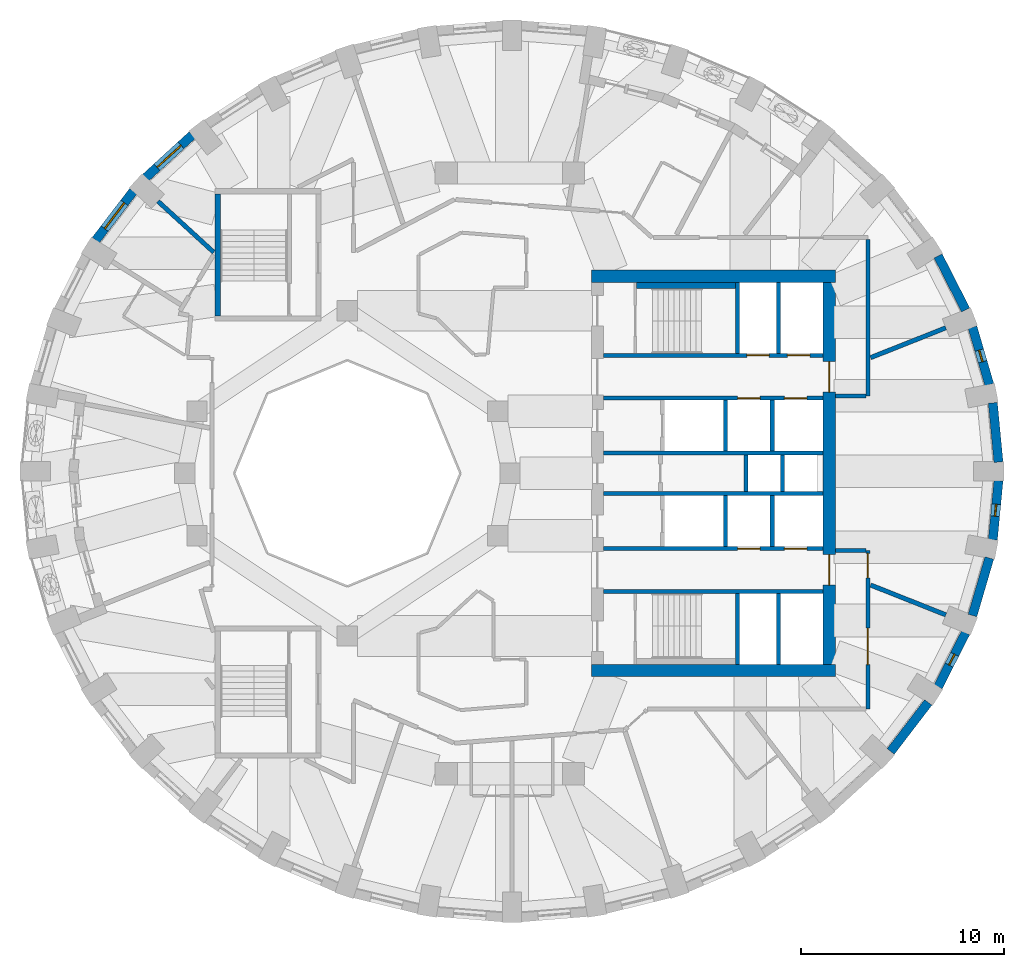
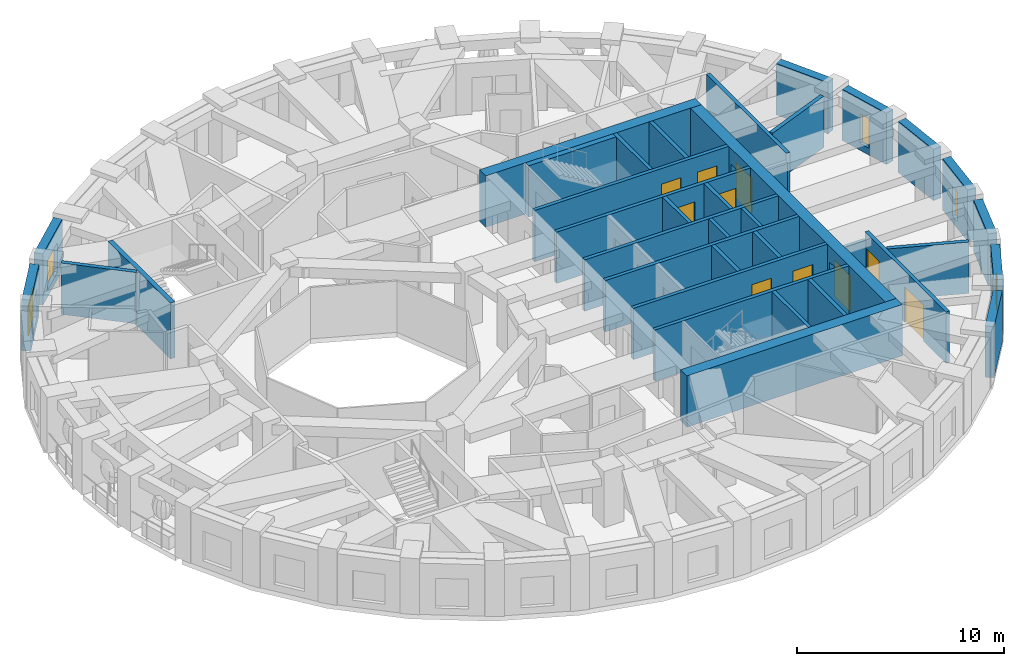
# One storey, part 6 of 12: 37 walls, 10 doors, 5 windows, 15 openings.
"""IFC4 building model written with IfcOpenShell, lengths in metres."""

from ifc_helpers import new_model, si_unit, direction, frame, frame_2d, origin, place, context, subcontext, project, spatial, rectangle, extrude, material, layer, layer_set, type_object, element, fill, save


model = new_model("IFC4")

# Units and contexts
model_context = context("Model", 3, precision=1e-05, world=origin(), true_north=direction((0.0, 1.0)))
body_context = subcontext(model_context, "Body", "Model", "MODEL_VIEW")
ifc_project = project(units=[si_unit("LENGTHUNIT", "METRE"), si_unit("AREAUNIT", "SQUARE_METRE"), si_unit("VOLUMEUNIT", "CUBIC_METRE"), si_unit("PLANEANGLEUNIT", "RADIAN"), si_unit("MASSUNIT", "GRAM", prefix="KILO")], contexts=[model_context])

# Site, building, storey
site_placement = place(None, origin())
site = spatial("IfcSite", under=ifc_project, at=site_placement, CompositionType="ELEMENT")
building_placement = place(site_placement, origin())
building = spatial("IfcBuilding", under=site, at=building_placement, Name="Taillehof Tower", CompositionType="ELEMENT")
storey_placement = place(building_placement, frame((0.0, 0.0, 145.10009765625)))
storey = spatial("IfcBuildingStorey", under=building, at=storey_placement, Name="L40", CompositionType="ELEMENT", Elevation=145.10009765625)

# Wall
ifc_material_1 = material(Name="Brick masonry", Category="masonry")
ifc_layer_1 = layer(ifc_material_1, 0.449951171875)
ifc_layer_set_1 = layer_set([ifc_layer_1], Name="Brick infill wall 450")
wall_type_1 = type_object("IfcWallType", Name="Brick infill wall 450", PredefinedType="SOLIDWALL", material=ifc_layer_set_1)
wall_1_placement = place(storey_placement, frame((24.030517578125, 0.55517578125, 0.0), z_axis=(0.0, 0.0, 1.0), x_axis=(-0.095265737322, 0.995451876935, 0.0)))
element("IfcWall", 1, at=wall_1_placement, inside=storey, type_object=wall_type_1, Name="Brick wall L40 bay 1", PredefinedType="SOLIDWALL", context=body_context, shape_type="SweptSolid", body=[
    extrude(rectangle(XDim=2.9267578125, YDim=0.449951171875, at=frame_2d((1.46337890625, 0.0))), origin(), (0.0, 0.0, 1.0), 3.02001953125),
])

# Wall, opening, window
wall_2_placement = place(storey_placement, frame((23.579833984375, 4.3623046875, 0.0), z_axis=(0.0, 0.0, 1.0), x_axis=(-0.281049481624, 0.959693278542, 0.0)))
wall_2 = element("IfcWall", 2, at=wall_2_placement, inside=storey, type_object=wall_type_1, Name="Brick wall L40 bay 2", PredefinedType="SOLIDWALL", context=body_context, shape_type="SweptSolid", body=[
    extrude(rectangle(XDim=2.947509765625, YDim=0.449951171875, at=frame_2d((1.4736328125, 0.0))), origin(), (0.0, 0.0, 1.0), 3.02001953125),
])
opening_1_placement = place(wall_2_placement, frame((1.173583984375, 0.0, 0.39990234375)))
opening_1 = element("IfcOpeningElement", 3, at=opening_1_placement, cuts=wall_2, Name="Opening W6", PredefinedType="OPENING", context=body_context, shape_type="SweptSolid", body=[
    extrude(rectangle(XDim=0.60009765625, YDim=1.75, at=frame_2d((0.300048828125, 0.875))), frame((0.0, 0.23486328125, 0.0), z_axis=(0.0, -1.0, 0.0), x_axis=(1.0, 0.0, 0.0)), (0.0, 0.0, 1.0), 0.469970703125),
])
ifc_material_2 = material(Name="Aluminium window frame with clear double glazing", Category="aluminium")
window_type_1 = type_object("IfcWindowType", Name="Slot window 600x1750", PartitioningType="SINGLE_PANEL", PredefinedType="WINDOW", material=ifc_material_2)
window_1_placement = place(opening_1_placement, origin())
window_1 = element("IfcWindow", 4, at=window_1_placement, inside=storey, type_object=window_type_1, Name="W6", OverallHeight=1.75, OverallWidth=0.60009765625, PartitioningType="SINGLE_PANEL", PredefinedType="WINDOW", context=body_context, shape_type="SweptSolid", body=[
    extrude(rectangle(XDim=0.60009765625, YDim=1.75, at=frame_2d((0.300048828125, 0.875))), frame((0.0, 0.034912109375, 0.0), z_axis=(0.0, -1.0, 0.0), x_axis=(1.0, 0.0, 0.0)), (0.0, 0.0, 1.0), 0.06005859375),
])
fill(opening_1, window_1)

# Wall
wall_3_placement = place(storey_placement, frame((22.415283203125, 8.036865234375, 0.0), z_axis=(0.0, 0.0, 1.0), x_axis=(-0.454133999889, 0.890933392653, 0.0)))
element("IfcWall", 5, at=wall_3_placement, inside=storey, type_object=wall_type_1, Name="Brick wall L40 bay 3", PredefinedType="SOLIDWALL", context=body_context, shape_type="SweptSolid", body=[
    extrude(rectangle(XDim=2.98583984375, YDim=0.449951171875, at=frame_2d((1.492919921875, 0.0))), origin(), (0.0, 0.0, 1.0), 3.02001953125),
])

# Wall, opening, window
wall_4_placement = place(storey_placement, frame((-15.630126953125, 16.638671875, 0.0), z_axis=(0.0, 0.0, 1.0), x_axis=(-0.737808755941, -0.675009807082, 0.0)))
wall_4 = element("IfcWall", 6, at=wall_4_placement, inside=storey, type_object=wall_type_1, Name="Brick wall L40 bay 14", PredefinedType="SOLIDWALL", context=body_context, shape_type="SweptSolid", body=[
    extrude(rectangle(XDim=3.094482421875, YDim=0.449951171875, at=frame_2d((1.54736328125, 0.0))), origin(), (0.0, 0.0, 1.0), 3.02001953125),
])
opening_2_placement = place(wall_4_placement, frame((0.747314453125, 0.0, 0.39990234375)))
opening_2 = element("IfcOpeningElement", 7, at=opening_2_placement, cuts=wall_4, Name="Opening W3", PredefinedType="OPENING", context=body_context, shape_type="SweptSolid", body=[
    extrude(rectangle(XDim=1.60009765625, YDim=1.75, at=frame_2d((0.800048828125, 0.875))), frame((0.0, 0.23486328125, 0.0), z_axis=(0.0, -1.0, 0.0), x_axis=(1.0, 0.0, 0.0)), (0.0, 0.0, 1.0), 0.469970703125),
])
ifc_material_3 = material(Name="Aluminium window frame with clear double glazing", Category="aluminium")
window_type_2 = type_object("IfcWindowType", Name="Deep-set window 1600x1750", PartitioningType="SINGLE_PANEL", PredefinedType="WINDOW", material=ifc_material_3)
window_2_placement = place(opening_2_placement, origin())
window_2 = element("IfcWindow", 8, at=window_2_placement, inside=storey, type_object=window_type_2, Name="W3", OverallHeight=1.75, OverallWidth=1.60009765625, PartitioningType="SINGLE_PANEL", PredefinedType="WINDOW", context=body_context, shape_type="SweptSolid", body=[
    extrude(rectangle(XDim=1.60009765625, YDim=1.75, at=frame_2d((0.800048828125, 0.875))), frame((0.0, 0.034912109375, 0.0), z_axis=(0.0, -1.0, 0.0), x_axis=(1.0, 0.0, 0.0)), (0.0, 0.0, 1.0), 0.06005859375),
])
fill(opening_2, window_2)

wall_5_placement = place(storey_placement, frame((-18.528076171875, 13.878662109375, 0.0), z_axis=(0.0, 0.0, 1.0), x_axis=(-0.607817056371, -0.794077090706, 0.0)))
wall_5 = element("IfcWall", 9, at=wall_5_placement, inside=storey, type_object=wall_type_1, Name="Brick wall L40 bay 15", PredefinedType="SOLIDWALL", context=body_context, shape_type="SweptSolid", body=[
    extrude(rectangle(XDim=3.037109375, YDim=0.449951171875, at=frame_2d((1.5185546875, 0.0))), origin(), (0.0, 0.0, 1.0), 3.02001953125),
])
opening_3_placement = place(wall_5_placement, frame((0.718505859375, 0.0, 0.39990234375)))
opening_3 = element("IfcOpeningElement", 10, at=opening_3_placement, cuts=wall_5, Name="Opening W3", PredefinedType="OPENING", context=body_context, shape_type="SweptSolid", body=[
    extrude(rectangle(XDim=1.60009765625, YDim=1.75, at=frame_2d((0.800048828125, 0.875))), frame((0.0, 0.23486328125, 0.0), z_axis=(0.0, -1.0, 0.0), x_axis=(1.0, 0.0, 0.0)), (0.0, 0.0, 1.0), 0.469970703125),
])
window_3_placement = place(opening_3_placement, origin())
window_3 = element("IfcWindow", 11, at=window_3_placement, inside=storey, type_object=window_type_2, Name="W3", OverallHeight=1.75, OverallWidth=1.60009765625, PartitioningType="SINGLE_PANEL", PredefinedType="WINDOW", context=body_context, shape_type="SweptSolid", body=[
    extrude(rectangle(XDim=1.60009765625, YDim=1.75, at=frame_2d((0.800048828125, 0.875))), frame((0.0, 0.034912109375, 0.0), z_axis=(0.0, -1.0, 0.0), x_axis=(1.0, 0.0, 0.0)), (0.0, 0.0, 1.0), 0.06005859375),
])
fill(opening_3, window_3)

# Wall
wall_6_placement = place(storey_placement, frame((18.72802734375, -13.6787109375, 0.0), z_axis=(0.0, 0.0, 1.0), x_axis=(0.607817056371, 0.794077090706, 0.0)))
element("IfcWall", 12, at=wall_6_placement, inside=storey, type_object=wall_type_1, Name="Brick wall L40 bay 33", PredefinedType="SOLIDWALL", context=body_context, shape_type="SweptSolid", body=[
    extrude(rectangle(XDim=3.037109375, YDim=0.449951171875, at=frame_2d((1.5185546875, 0.0))), origin(), (0.0, 0.0, 1.0), 3.02001953125),
])

# Wall, opening, window
wall_7_placement = place(storey_placement, frame((21.059326171875, -10.4970703125, 0.0), z_axis=(0.0, 0.0, 1.0), x_axis=(0.454133999889, 0.890933392653, 0.0)))
wall_7 = element("IfcWall", 13, at=wall_7_placement, inside=storey, type_object=wall_type_1, Name="Brick wall L40 bay 34", PredefinedType="SOLIDWALL", context=body_context, shape_type="SweptSolid", body=[
    extrude(rectangle(XDim=2.98583984375, YDim=0.449951171875, at=frame_2d((1.492919921875, 0.0))), origin(), (0.0, 0.0, 1.0), 3.02001953125),
])
opening_4_placement = place(wall_7_placement, frame((1.19287109375, 0.0, 0.39990234375)))
opening_4 = element("IfcOpeningElement", 14, at=opening_4_placement, cuts=wall_7, Name="Opening W6", PredefinedType="OPENING", context=body_context, shape_type="SweptSolid", body=[
    extrude(rectangle(XDim=0.60009765625, YDim=1.75, at=frame_2d((0.300048828125, 0.875))), frame((0.0, 0.23486328125, 0.0), z_axis=(0.0, -1.0, 0.0), x_axis=(1.0, 0.0, 0.0)), (0.0, 0.0, 1.0), 0.469970703125),
])
window_4_placement = place(opening_4_placement, origin())
window_4 = element("IfcWindow", 15, at=window_4_placement, inside=storey, type_object=window_type_1, Name="W6", OverallHeight=1.75, OverallWidth=0.60009765625, PartitioningType="SINGLE_PANEL", PredefinedType="WINDOW", context=body_context, shape_type="SweptSolid", body=[
    extrude(rectangle(XDim=0.60009765625, YDim=1.75, at=frame_2d((0.300048828125, 0.875))), frame((0.0, 0.034912109375, 0.0), z_axis=(0.0, -1.0, 0.0), x_axis=(1.0, 0.0, 0.0)), (0.0, 0.0, 1.0), 0.06005859375),
])
fill(opening_4, window_4)

# Wall
wall_8_placement = place(storey_placement, frame((22.75146484375, -6.990966796875, 0.0), z_axis=(0.0, 0.0, 1.0), x_axis=(0.281049481624, 0.959693278542, 0.0)))
element("IfcWall", 16, at=wall_8_placement, inside=storey, type_object=wall_type_1, Name="Brick wall L40 bay 35", PredefinedType="SOLIDWALL", context=body_context, shape_type="SweptSolid", body=[
    extrude(rectangle(XDim=2.947509765625, YDim=0.449951171875, at=frame_2d((1.4736328125, 0.0))), origin(), (0.0, 0.0, 1.0), 3.02001953125),
])

# Wall, opening, window
wall_9_placement = place(storey_placement, frame((23.751708984375, -3.2685546875, 0.0), z_axis=(0.0, 0.0, 1.0), x_axis=(0.095257827044, 0.995452633924, 0.0)))
wall_9 = element("IfcWall", 17, at=wall_9_placement, inside=storey, type_object=wall_type_1, Name="Brick wall L40 bay 36", PredefinedType="SOLIDWALL", context=body_context, shape_type="SweptSolid", body=[
    extrude(rectangle(XDim=2.927001953125, YDim=0.449951171875, at=frame_2d((1.46337890625, 0.0))), origin(), (0.0, 0.0, 1.0), 3.02001953125),
])
opening_5_placement = place(wall_9_placement, frame((1.163330078125, 0.0, 0.39990234375)))
opening_5 = element("IfcOpeningElement", 18, at=opening_5_placement, cuts=wall_9, Name="Opening W6", PredefinedType="OPENING", context=body_context, shape_type="SweptSolid", body=[
    extrude(rectangle(XDim=0.60009765625, YDim=1.75, at=frame_2d((0.300048828125, 0.875))), frame((0.0, 0.23486328125, 0.0), z_axis=(0.0, -1.0, 0.0), x_axis=(1.0, 0.0, 0.0)), (0.0, 0.0, 1.0), 0.469970703125),
])
window_5_placement = place(opening_5_placement, origin())
window_5 = element("IfcWindow", 19, at=window_5_placement, inside=storey, type_object=window_type_1, Name="W6", OverallHeight=1.75, OverallWidth=0.60009765625, PartitioningType="SINGLE_PANEL", PredefinedType="WINDOW", context=body_context, shape_type="SweptSolid", body=[
    extrude(rectangle(XDim=0.60009765625, YDim=1.75, at=frame_2d((0.300048828125, 0.875))), frame((0.0, 0.034912109375, 0.0), z_axis=(0.0, -1.0, 0.0), x_axis=(1.0, 0.0, 0.0)), (0.0, 0.0, 1.0), 0.06005859375),
])
fill(opening_5, window_5)

# Walls
ifc_material_4 = material(Name="Calcium silicate masonry", Category="masonry")
ifc_layer_2 = layer(ifc_material_4, 0.199951171875)
ifc_layer_set_2 = layer_set([ifc_layer_2], Name="Compartment wall calcium silicate 200")
wall_type_2 = type_object("IfcWallType", Name="Compartment wall calcium silicate 200", PredefinedType="PARTITIONING", material=ifc_layer_set_2)
for number, where, z_axis, x_axis, name in (
    (20, (11.60009765625, -0.89990234375, 0.0), (0.0, 0.0, 1.0), (0.0, 1.0, 0.0), "Compartment wall FW"),
    (21, (13.39990234375, -0.89990234375, 0.0), (0.0, 0.0, 1.0), (0.0, 1.0, 0.0), "Compartment wall FW"),
):
    element("IfcWall", number, at=place(storey_placement, frame(where, z_axis=z_axis, x_axis=x_axis)), inside=storey, type_object=wall_type_2, Name=name, PredefinedType="PARTITIONING", context=body_context, shape_type="SweptSolid", body=[
        extrude(rectangle(XDim=1.7998046875, YDim=0.199951171875, at=frame_2d((0.89990234375, 0.0))), origin(), (0.0, 0.0, 1.0), 3.02001953125),
    ])

# Wall, openings, doors
ifc_material_5 = material(Name="Gypsum board on steel studs, two layers each side", Category="steel")
ifc_layer_3 = layer(ifc_material_5, 0.199951171875)
ifc_layer_set_3 = layer_set([ifc_layer_3], Name="Compartment wall corridor 200")
wall_type_3 = type_object("IfcWallType", Name="Compartment wall corridor 200", PredefinedType="PARTITIONING", material=ifc_layer_set_3)
wall_10_placement = place(storey_placement, frame((17.60009765625, -3.800048828125, 0.0), z_axis=(0.0, 0.0, 1.0), x_axis=(0.0, -1.0, 0.0)))
wall_10 = element("IfcWall", 22, at=wall_10_placement, inside=storey, type_object=wall_type_3, Name="Compartment wall", PredefinedType="PARTITIONING", context=body_context, shape_type="SweptSolid", body=[
    extrude(rectangle(XDim=7.800048828125, YDim=0.199951171875, at=frame_2d((3.89990234375, 0.0))), origin(), (0.0, 0.0, 1.0), 3.02001953125),
])
opening_6_placement = place(wall_10_placement, frame((3.81298828125, 0.0, 0.0)))
opening_6 = element("IfcOpeningElement", 23, at=opening_6_placement, cuts=wall_10, Name="Opening D4057", PredefinedType="OPENING", context=body_context, shape_type="SweptSolid", body=[
    extrude(rectangle(XDim=1.800048828125, YDim=2.10009765625, at=frame_2d((0.89990234375, 1.050048828125))), frame((0.0, 0.10986328125, 0.0), z_axis=(0.0, -1.0, 0.0), x_axis=(1.0, 0.0, 0.0)), (0.0, 0.0, 1.0), 0.219970703125),
])
opening_7_placement = place(wall_10_placement, frame((0.139892578125, 0.0, 0.0)))
opening_7 = element("IfcOpeningElement", 24, at=opening_7_placement, cuts=wall_10, Name="Opening D4058", PredefinedType="OPENING", context=body_context, shape_type="SweptSolid", body=[
    extrude(rectangle(XDim=1.199951171875, YDim=2.10009765625, at=frame_2d((0.60009765625, 1.050048828125))), frame((0.0, 0.10986328125, 0.0), z_axis=(0.0, -1.0, 0.0), x_axis=(1.0, 0.0, 0.0)), (0.0, 0.0, 1.0), 0.219970703125),
])
ifc_material_6 = material(Name="Timber door leaf in steel frame", Category="steel")
door_type_1 = type_object("IfcDoorType", Name="Lounge and meeting room double door EI 30 1800 x 2100", OperationType="SINGLE_SWING_LEFT", PredefinedType="DOOR", material=ifc_material_6)
door_1_placement = place(opening_6_placement, origin())
door_1 = element("IfcDoor", 25, at=door_1_placement, inside=storey, type_object=door_type_1, Name="D4057", OperationType="DOUBLE_DOOR_SINGLE_SWING", OverallHeight=2.10009765625, OverallWidth=1.800048828125, PredefinedType="DOOR", context=body_context, shape_type="SweptSolid", body=[
    extrude(rectangle(XDim=1.800048828125, YDim=2.10009765625, at=frame_2d((0.89990234375, 1.050048828125))), frame((0.0, 0.02490234375, 0.0), z_axis=(0.0, -1.0, 0.0), x_axis=(1.0, 0.0, 0.0)), (0.0, 0.0, 1.0), 0.050048828125),
])
fill(opening_6, door_1)
ifc_material_7 = material(Name="Timber door leaf in steel frame", Category="steel")
door_type_2 = type_object("IfcDoorType", Name="Suite entrance door EI 30 1200 x 2100", OperationType="SINGLE_SWING_LEFT", PredefinedType="DOOR", material=ifc_material_7)
door_2_placement = place(opening_7_placement, origin())
door_2 = element("IfcDoor", 26, at=door_2_placement, inside=storey, type_object=door_type_2, Name="D4058", OperationType="SINGLE_SWING_RIGHT", OverallHeight=2.10009765625, OverallWidth=1.199951171875, PredefinedType="DOOR", context=body_context, shape_type="SweptSolid", body=[
    extrude(rectangle(XDim=1.199951171875, YDim=2.10009765625, at=frame_2d((0.60009765625, 1.050048828125))), frame((0.0, 0.02490234375, 0.0), z_axis=(0.0, -1.0, 0.0), x_axis=(1.0, 0.0, 0.0)), (0.0, 0.0, 1.0), 0.050048828125),
])
fill(opening_7, door_2)

# Walls
wall_11_placement = place(storey_placement, frame((17.60009765625, 11.5, 0.0), z_axis=(0.0, 0.0, 1.0), x_axis=(0.0, -1.0, 0.0)))
element("IfcWall", 27, at=wall_11_placement, inside=storey, type_object=wall_type_3, Name="Compartment wall", PredefinedType="PARTITIONING", context=body_context, shape_type="SweptSolid", body=[
    extrude(rectangle(XDim=7.699951171875, YDim=0.199951171875, at=frame_2d((3.85009765625, 0.0))), origin(), (0.0, 0.0, 1.0), 3.02001953125),
])
for number, where, z_axis, x_axis, name in (
    (28, (17.5, 3.800048828125, 0.0), (0.0, 0.0, 1.0), (-1.0, 0.0, 0.0), "Compartment wall"),
    (29, (16.00390625, -3.800048828125, 0.0), (0.0, 0.0, 1.0), (1.0, 0.0, 0.0), "Compartment wall"),
):
    element("IfcWall", number, at=place(storey_placement, frame(where, z_axis=z_axis, x_axis=x_axis)), inside=storey, type_object=wall_type_3, Name=name, PredefinedType="PARTITIONING", context=body_context, shape_type="SweptSolid", body=[
        extrude(rectangle(XDim=1.49609375, YDim=0.199951171875, at=frame_2d((0.748046875, 0.0))), origin(), (0.0, 0.0, 1.0), 2.56982421875),
    ])
ifc_material_8 = material(Name="Gypsum board on double steel studs with mineral wool", Category="steel")
ifc_layer_4 = layer(ifc_material_8, 0.219970703125)
ifc_layer_set_4 = layer_set([ifc_layer_4], Name="Compartment wall guest room 220")
wall_type_4 = type_object("IfcWallType", Name="Compartment wall guest room 220", PredefinedType="PARTITIONING", material=ifc_layer_set_4)
wall_12_placement = place(storey_placement, frame((21.438720703125, 7.15966796875, 0.0), z_axis=(0.0, 0.0, 1.0), x_axis=(-0.929517399972, -0.368778257426, 0.0)))
element("IfcWall", 30, at=wall_12_placement, inside=storey, type_object=wall_type_4, Name="Compartment wall", PredefinedType="PARTITIONING", context=body_context, shape_type="SweptSolid", body=[
    extrude(rectangle(XDim=3.982177734375, YDim=0.219970703125, at=frame_2d((1.9912109375, 0.0))), origin(), (0.0, 0.0, 1.0), 3.02001953125),
])
wall_13_placement = place(storey_placement, frame((-17.310302734375, 13.381591796875, 0.0), z_axis=(0.0, 0.0, 1.0), x_axis=(0.737860436015, -0.674953314655, 0.0)))
element("IfcWall", 31, at=wall_13_placement, inside=storey, type_object=wall_type_4, Name="Compartment wall", PredefinedType="PARTITIONING", context=body_context, shape_type="SweptSolid", body=[
    extrude(rectangle(XDim=3.714111328125, YDim=0.219970703125, at=frame_2d((1.85693359375, 0.0))), origin(), (0.0, 0.0, 1.0), 3.02001953125),
])
wall_14_placement = place(storey_placement, frame((21.438720703125, -6.959716796875, 0.0), z_axis=(0.0, 0.0, 1.0), x_axis=(-0.929517399972, 0.368778257426, 0.0)))
element("IfcWall", 32, at=wall_14_placement, inside=storey, type_object=wall_type_4, Name="Compartment wall", PredefinedType="PARTITIONING", context=body_context, shape_type="SweptSolid", body=[
    extrude(rectangle(XDim=3.982177734375, YDim=0.219970703125, at=frame_2d((1.9912109375, 0.0))), origin(), (0.0, 0.0, 1.0), 3.02001953125),
])
ifc_material_9 = material(Name="Calcium silicate masonry", Category="masonry")
ifc_layer_5 = layer(ifc_material_9, 0.300048828125)
ifc_layer_set_5 = layer_set([ifc_layer_5], Name="Compartment wall lining calcium silicate 300")
wall_type_5 = type_object("IfcWallType", Name="Compartment wall lining calcium silicate 300", PredefinedType="PARTITIONING", material=ifc_layer_set_5)
wall_15_placement = place(storey_placement, frame((6.219970703125, 9.25, 0.0), z_axis=(0.0, 0.0, 1.0), x_axis=(1.0, 0.0, 0.0)))
element("IfcWall", 33, at=wall_15_placement, inside=storey, type_object=wall_type_5, Name="Compartment wall FW", PredefinedType="PARTITIONING", context=body_context, shape_type="SweptSolid", body=[
    extrude(rectangle(XDim=4.880126953125, YDim=0.300048828125, at=frame_2d((2.43994140625, 0.0))), origin(), (0.0, 0.0, 1.0), 3.02001953125),
])

# Wall, openings, doors
ifc_material_10 = material(Name="Concrete C80/95", Category="concrete")
ifc_layer_6 = layer(ifc_material_10, 0.60009765625)
ifc_layer_set_6 = layer_set([ifc_layer_6], Name="Core wall C80/95 600")
wall_type_6 = type_object("IfcWallType", Name="Core wall C80/95 600", PredefinedType="SHEAR", material=ifc_layer_set_6)
wall_16_placement = place(storey_placement, frame((15.699951171875, -9.39990234375, 0.0), z_axis=(0.0, 0.0, 1.0), x_axis=(0.0, 1.0, 0.0)))
wall_16 = element("IfcWall", 34, at=wall_16_placement, inside=storey, type_object=wall_type_6, Name="Core wall CW05", PredefinedType="SHEAR", context=body_context, shape_type="SweptSolid", body=[
    extrude(rectangle(XDim=18.7998046875, YDim=0.60009765625, at=frame_2d((9.39990234375, 0.0))), origin(), (0.0, 0.0, 1.0), 3.02001953125),
])
opening_8_placement = place(wall_16_placement, frame((13.39990234375, 0.0, 0.0)))
opening_8 = element("IfcOpeningElement", 35, at=opening_8_placement, cuts=wall_16, Name="Opening D4008", PredefinedType="OPENING", context=body_context, shape_type="SweptSolid", body=[
    extrude(rectangle(XDim=1.5, YDim=2.10009765625, at=frame_2d((0.75, 1.050048828125))), frame((0.0, 0.31005859375, 0.0), z_axis=(0.0, -1.0, 0.0), x_axis=(1.0, 0.0, 0.0)), (0.0, 0.0, 1.0), 0.6201171875),
])
opening_9_placement = place(wall_16_placement, frame((3.89990234375, 0.0, 0.0)))
opening_9 = element("IfcOpeningElement", 36, at=opening_9_placement, cuts=wall_16, Name="Opening D4009", PredefinedType="OPENING", context=body_context, shape_type="SweptSolid", body=[
    extrude(rectangle(XDim=1.5, YDim=2.10009765625, at=frame_2d((0.75, 1.050048828125))), frame((0.0, 0.31005859375, 0.0), z_axis=(0.0, -1.0, 0.0), x_axis=(1.0, 0.0, 0.0)), (0.0, 0.0, 1.0), 0.6201171875),
])
ifc_material_11 = material(Name="Steel-faced fire door", Category="steel")
door_type_3 = type_object("IfcDoorType", Name="Lift lobby east door 1500x2100", OperationType="DOUBLE_DOOR_SINGLE_SWING", PredefinedType="DOOR", material=ifc_material_11)
door_3_placement = place(opening_8_placement, origin())
door_3 = element("IfcDoor", 37, at=door_3_placement, inside=storey, type_object=door_type_3, Name="Lift lobby east door north", OperationType="DOUBLE_DOOR_SINGLE_SWING", OverallHeight=2.10009765625, OverallWidth=1.5, PredefinedType="DOOR", context=body_context, shape_type="SweptSolid", body=[
    extrude(rectangle(XDim=1.5, YDim=2.10009765625, at=frame_2d((0.75, 1.050048828125))), frame((0.0, 0.02490234375, 0.0), z_axis=(0.0, -1.0, 0.0), x_axis=(1.0, 0.0, 0.0)), (0.0, 0.0, 1.0), 0.050048828125),
])
fill(opening_8, door_3)
door_4_placement = place(opening_9_placement, origin())
door_4 = element("IfcDoor", 38, at=door_4_placement, inside=storey, type_object=door_type_3, Name="Lift lobby east door south", OperationType="DOUBLE_DOOR_SINGLE_SWING", OverallHeight=2.10009765625, OverallWidth=1.5, PredefinedType="DOOR", context=body_context, shape_type="SweptSolid", body=[
    extrude(rectangle(XDim=1.5, YDim=2.10009765625, at=frame_2d((0.75, 1.050048828125))), frame((0.0, 0.02490234375, 0.0), z_axis=(0.0, -1.0, 0.0), x_axis=(1.0, 0.0, 0.0)), (0.0, 0.0, 1.0), 0.050048828125),
])
fill(opening_9, door_4)

# Walls
for number, where, z_axis, x_axis, name in (
    (39, (4.0, 9.699951171875, 0.0), (0.0, 0.0, 1.0), (1.0, 0.0, 0.0), "Core wall CW06"),
    (40, (4.0, -9.699951171875, 0.0), (0.0, 0.0, 1.0), (1.0, 0.0, 0.0), "Core wall CW07"),
):
    element("IfcWall", number, at=place(storey_placement, frame(where, z_axis=z_axis, x_axis=x_axis)), inside=storey, type_object=wall_type_6, Name=name, PredefinedType="SHEAR", context=body_context, shape_type="SweptSolid", body=[
        extrude(rectangle(XDim=12.0, YDim=0.60009765625, at=frame_2d((6.0, 0.0))), origin(), (0.0, 0.0, 1.0), 3.02001953125),
    ])

# Wall, openings, doors
ifc_material_12 = material(Name="Concrete C50/60", Category="concrete")
ifc_layer_7 = layer(ifc_material_12, 0.199951171875)
ifc_layer_set_7 = layer_set([ifc_layer_7], Name="Shaft wall C50/60 200")
wall_type_7 = type_object("IfcWallType", Name="Shaft wall C50/60 200", PredefinedType="SHEAR", material=ifc_layer_set_7)
wall_17_placement = place(storey_placement, frame((4.60009765625, 5.800048828125, 0.0), z_axis=(0.0, 0.0, 1.0), x_axis=(1.0, 0.0, 0.0)))
wall_17 = element("IfcWall", 41, at=wall_17_placement, inside=storey, type_object=wall_type_7, Name="Shaft wall SW", PredefinedType="SHEAR", context=body_context, shape_type="SweptSolid", body=[
    extrude(rectangle(XDim=10.7998046875, YDim=0.199951171875, at=frame_2d((5.39990234375, 0.0))), origin(), (0.0, 0.0, 1.0), 3.02001953125),
])
opening_10_placement = place(wall_17_placement, frame((7.050048828125, 0.0, 0.0)))
opening_10 = element("IfcOpeningElement", 42, at=opening_10_placement, cuts=wall_17, Name="Opening LD1", PredefinedType="OPENING", context=body_context, shape_type="SweptSolid", body=[
    extrude(rectangle(XDim=1.10009765625, YDim=2.10009765625, at=frame_2d((0.550048828125, 1.050048828125))), frame((0.0, 0.10986328125, 0.0), z_axis=(0.0, -1.0, 0.0), x_axis=(1.0, 0.0, 0.0)), (0.0, 0.0, 1.0), 0.219970703125),
])
opening_11_placement = place(wall_17_placement, frame((9.050048828125, 0.0, 0.0)))
opening_11 = element("IfcOpeningElement", 43, at=opening_11_placement, cuts=wall_17, Name="Opening LD1", PredefinedType="OPENING", context=body_context, shape_type="SweptSolid", body=[
    extrude(rectangle(XDim=1.10009765625, YDim=2.10009765625, at=frame_2d((0.550048828125, 1.050048828125))), frame((0.0, 0.10986328125, 0.0), z_axis=(0.0, -1.0, 0.0), x_axis=(1.0, 0.0, 0.0)), (0.0, 0.0, 1.0), 0.219970703125),
])
ifc_material_13 = material(Name="Stainless steel", Category="steel")
door_type_4 = type_object("IfcDoorType", Name="Lift landing door LD1 1100x2100", OperationType="DOUBLE_DOOR_SLIDING", PredefinedType="DOOR", material=ifc_material_13)
door_5_placement = place(opening_10_placement, origin())
door_5 = element("IfcDoor", 44, at=door_5_placement, inside=storey, type_object=door_type_4, Name="Landing door HR1", OperationType="DOUBLE_DOOR_SLIDING", OverallHeight=2.10009765625, OverallWidth=1.10009765625, PredefinedType="DOOR", context=body_context, shape_type="SweptSolid", body=[
    extrude(rectangle(XDim=1.10009765625, YDim=2.10009765625, at=frame_2d((0.550048828125, 1.050048828125))), frame((0.0, 0.02490234375, 0.0), z_axis=(0.0, -1.0, 0.0), x_axis=(1.0, 0.0, 0.0)), (0.0, 0.0, 1.0), 0.050048828125),
])
fill(opening_10, door_5)
door_6_placement = place(opening_11_placement, origin())
door_6 = element("IfcDoor", 45, at=door_6_placement, inside=storey, type_object=door_type_4, Name="Landing door HR2", OperationType="DOUBLE_DOOR_SLIDING", OverallHeight=2.10009765625, OverallWidth=1.10009765625, PredefinedType="DOOR", context=body_context, shape_type="SweptSolid", body=[
    extrude(rectangle(XDim=1.10009765625, YDim=2.10009765625, at=frame_2d((0.550048828125, 1.050048828125))), frame((0.0, 0.02490234375, 0.0), z_axis=(0.0, -1.0, 0.0), x_axis=(1.0, 0.0, 0.0)), (0.0, 0.0, 1.0), 0.050048828125),
])
fill(opening_11, door_6)

wall_18_placement = place(storey_placement, frame((4.60009765625, 3.699951171875, 0.0), z_axis=(0.0, 0.0, 1.0), x_axis=(1.0, 0.0, 0.0)))
wall_18 = element("IfcWall", 46, at=wall_18_placement, inside=storey, type_object=wall_type_7, Name="Shaft wall SW", PredefinedType="SHEAR", context=body_context, shape_type="SweptSolid", body=[
    extrude(rectangle(XDim=10.7998046875, YDim=0.199951171875, at=frame_2d((5.39990234375, 0.0))), origin(), (0.0, 0.0, 1.0), 3.02001953125),
])
opening_12_placement = place(wall_18_placement, frame((6.60009765625, 0.0, 0.0)))
opening_12 = element("IfcOpeningElement", 47, at=opening_12_placement, cuts=wall_18, Name="Opening LD1", PredefinedType="OPENING", context=body_context, shape_type="SweptSolid", body=[
    extrude(rectangle(XDim=1.10009765625, YDim=2.10009765625, at=frame_2d((0.550048828125, 1.050048828125))), frame((0.0, 0.10986328125, 0.0), z_axis=(0.0, -1.0, 0.0), x_axis=(1.0, 0.0, 0.0)), (0.0, 0.0, 1.0), 0.219970703125),
])
opening_13_placement = place(wall_18_placement, frame((8.89990234375, 0.0, 0.0)))
opening_13 = element("IfcOpeningElement", 48, at=opening_13_placement, cuts=wall_18, Name="Opening LD1", PredefinedType="OPENING", context=body_context, shape_type="SweptSolid", body=[
    extrude(rectangle(XDim=1.10009765625, YDim=2.10009765625, at=frame_2d((0.550048828125, 1.050048828125))), frame((0.0, 0.10986328125, 0.0), z_axis=(0.0, -1.0, 0.0), x_axis=(1.0, 0.0, 0.0)), (0.0, 0.0, 1.0), 0.219970703125),
])
door_7_placement = place(opening_12_placement, origin())
door_7 = element("IfcDoor", 49, at=door_7_placement, inside=storey, type_object=door_type_4, Name="Landing door HR3", OperationType="DOUBLE_DOOR_SLIDING", OverallHeight=2.10009765625, OverallWidth=1.10009765625, PredefinedType="DOOR", context=body_context, shape_type="SweptSolid", body=[
    extrude(rectangle(XDim=1.10009765625, YDim=2.10009765625, at=frame_2d((0.550048828125, 1.050048828125))), frame((0.0, 0.02490234375, 0.0), z_axis=(0.0, -1.0, 0.0), x_axis=(1.0, 0.0, 0.0)), (0.0, 0.0, 1.0), 0.050048828125),
])
fill(opening_12, door_7)
door_8_placement = place(opening_13_placement, origin())
door_8 = element("IfcDoor", 50, at=door_8_placement, inside=storey, type_object=door_type_4, Name="Landing door HR4", OperationType="DOUBLE_DOOR_SLIDING", OverallHeight=2.10009765625, OverallWidth=1.10009765625, PredefinedType="DOOR", context=body_context, shape_type="SweptSolid", body=[
    extrude(rectangle(XDim=1.10009765625, YDim=2.10009765625, at=frame_2d((0.550048828125, 1.050048828125))), frame((0.0, 0.02490234375, 0.0), z_axis=(0.0, -1.0, 0.0), x_axis=(1.0, 0.0, 0.0)), (0.0, 0.0, 1.0), 0.050048828125),
])
fill(opening_13, door_8)

# Walls
for number, where, z_axis, x_axis, name in (
    (51, (4.60009765625, 1.0, 0.0), (0.0, 0.0, 1.0), (1.0, 0.0, 0.0), "Shaft wall SW"),
    (52, (4.60009765625, -1.0, 0.0), (0.0, 0.0, 1.0), (1.0, 0.0, 0.0), "Shaft wall SW"),
):
    element("IfcWall", number, at=place(storey_placement, frame(where, z_axis=z_axis, x_axis=x_axis)), inside=storey, type_object=wall_type_7, Name=name, PredefinedType="SHEAR", context=body_context, shape_type="SweptSolid", body=[
        extrude(rectangle(XDim=10.7998046875, YDim=0.199951171875, at=frame_2d((5.39990234375, 0.0))), origin(), (0.0, 0.0, 1.0), 3.02001953125),
    ])

# Wall, openings, doors
wall_19_placement = place(storey_placement, frame((4.60009765625, -3.699951171875, 0.0), z_axis=(0.0, 0.0, 1.0), x_axis=(1.0, 0.0, 0.0)))
wall_19 = element("IfcWall", 53, at=wall_19_placement, inside=storey, type_object=wall_type_7, Name="Shaft wall SW", PredefinedType="SHEAR", context=body_context, shape_type="SweptSolid", body=[
    extrude(rectangle(XDim=10.7998046875, YDim=0.199951171875, at=frame_2d((5.39990234375, 0.0))), origin(), (0.0, 0.0, 1.0), 3.02001953125),
])
opening_14_placement = place(wall_19_placement, frame((6.60009765625, 0.0, 0.0)))
opening_14 = element("IfcOpeningElement", 54, at=opening_14_placement, cuts=wall_19, Name="Opening LD1", PredefinedType="OPENING", context=body_context, shape_type="SweptSolid", body=[
    extrude(rectangle(XDim=1.10009765625, YDim=2.10009765625, at=frame_2d((0.550048828125, 1.050048828125))), frame((0.0, 0.10986328125, 0.0), z_axis=(0.0, -1.0, 0.0), x_axis=(1.0, 0.0, 0.0)), (0.0, 0.0, 1.0), 0.219970703125),
])
opening_15_placement = place(wall_19_placement, frame((8.89990234375, 0.0, 0.0)))
opening_15 = element("IfcOpeningElement", 55, at=opening_15_placement, cuts=wall_19, Name="Opening LD1", PredefinedType="OPENING", context=body_context, shape_type="SweptSolid", body=[
    extrude(rectangle(XDim=1.10009765625, YDim=2.10009765625, at=frame_2d((0.550048828125, 1.050048828125))), frame((0.0, 0.10986328125, 0.0), z_axis=(0.0, -1.0, 0.0), x_axis=(1.0, 0.0, 0.0)), (0.0, 0.0, 1.0), 0.219970703125),
])
door_9_placement = place(opening_14_placement, origin())
door_9 = element("IfcDoor", 56, at=door_9_placement, inside=storey, type_object=door_type_4, Name="Landing door HR5", OperationType="DOUBLE_DOOR_SLIDING", OverallHeight=2.10009765625, OverallWidth=1.10009765625, PredefinedType="DOOR", context=body_context, shape_type="SweptSolid", body=[
    extrude(rectangle(XDim=1.10009765625, YDim=2.10009765625, at=frame_2d((0.550048828125, 1.050048828125))), frame((0.0, 0.02490234375, 0.0), z_axis=(0.0, -1.0, 0.0), x_axis=(1.0, 0.0, 0.0)), (0.0, 0.0, 1.0), 0.050048828125),
])
fill(opening_14, door_9)
door_10_placement = place(opening_15_placement, origin())
door_10 = element("IfcDoor", 57, at=door_10_placement, inside=storey, type_object=door_type_4, Name="Landing door HR6", OperationType="DOUBLE_DOOR_SLIDING", OverallHeight=2.10009765625, OverallWidth=1.10009765625, PredefinedType="DOOR", context=body_context, shape_type="SweptSolid", body=[
    extrude(rectangle(XDim=1.10009765625, YDim=2.10009765625, at=frame_2d((0.550048828125, 1.050048828125))), frame((0.0, 0.02490234375, 0.0), z_axis=(0.0, -1.0, 0.0), x_axis=(1.0, 0.0, 0.0)), (0.0, 0.0, 1.0), 0.050048828125),
])
fill(opening_15, door_10)

# Walls
wall_20_placement = place(storey_placement, frame((4.60009765625, -5.800048828125, 0.0), z_axis=(0.0, 0.0, 1.0), x_axis=(1.0, 0.0, 0.0)))
element("IfcWall", 58, at=wall_20_placement, inside=storey, type_object=wall_type_7, Name="Shaft wall SW", PredefinedType="SHEAR", context=body_context, shape_type="SweptSolid", body=[
    extrude(rectangle(XDim=10.7998046875, YDim=0.199951171875, at=frame_2d((5.39990234375, 0.0))), origin(), (0.0, 0.0, 1.0), 3.02001953125),
])
for number, where, z_axis, x_axis, name in (
    (59, (11.199951171875, 5.89990234375, 0.0), (0.0, 0.0, 1.0), (0.0, 1.0, 0.0), "Shaft wall SW"),
    (60, (11.199951171875, -9.39990234375, 0.0), (0.0, 0.0, 1.0), (0.0, 1.0, 0.0), "Shaft wall SW"),
    (61, (13.199951171875, 5.89990234375, 0.0), (0.0, 0.0, 1.0), (0.0, 1.0, 0.0), "Shaft wall SW"),
    (62, (13.199951171875, -9.39990234375, 0.0), (0.0, 0.0, 1.0), (0.0, 1.0, 0.0), "Shaft wall SW"),
):
    element("IfcWall", number, at=place(storey_placement, frame(where, z_axis=z_axis, x_axis=x_axis)), inside=storey, type_object=wall_type_7, Name=name, PredefinedType="SHEAR", context=body_context, shape_type="SweptSolid", body=[
        extrude(rectangle(XDim=3.5, YDim=0.199951171875, at=frame_2d((1.75, 0.0))), origin(), (0.0, 0.0, 1.0), 3.02001953125),
    ])
for number, where, z_axis, x_axis, name in (
    (63, (10.60009765625, 1.10009765625, 0.0), (0.0, 0.0, 1.0), (0.0, 1.0, 0.0), "Shaft wall SW"),
    (64, (10.60009765625, -3.60009765625, 0.0), (0.0, 0.0, 1.0), (0.0, 1.0, 0.0), "Shaft wall SW"),
    (65, (12.89990234375, 1.10009765625, 0.0), (0.0, 0.0, 1.0), (0.0, 1.0, 0.0), "Shaft wall SW"),
    (66, (12.89990234375, -3.60009765625, 0.0), (0.0, 0.0, 1.0), (0.0, 1.0, 0.0), "Shaft wall SW"),
):
    element("IfcWall", number, at=place(storey_placement, frame(where, z_axis=z_axis, x_axis=x_axis)), inside=storey, type_object=wall_type_7, Name=name, PredefinedType="SHEAR", context=body_context, shape_type="SweptSolid", body=[
        extrude(rectangle(XDim=2.5, YDim=0.199951171875, at=frame_2d((1.25, 0.0))), origin(), (0.0, 0.0, 1.0), 3.02001953125),
    ])
ifc_material_14 = material(Name="Concrete C50/60", Category="concrete")
ifc_layer_8 = layer(ifc_material_14, 0.25)
ifc_layer_set_8 = layer_set([ifc_layer_8], Name="Stair wall C50/60 250")
wall_type_8 = type_object("IfcWallType", Name="Stair wall C50/60 250", PredefinedType="SHEAR", material=ifc_layer_set_8)
wall_21_placement = place(storey_placement, frame((-14.375, 7.75, -0.280029296875), z_axis=(0.0, 0.0, 1.0), x_axis=(0.0, 1.0, 0.0)))
element("IfcWall", 67, at=wall_21_placement, inside=storey, type_object=wall_type_8, Name="Stair wall SC", PredefinedType="SHEAR", context=body_context, shape_type="SweptSolid", body=[
    extrude(rectangle(XDim=6.0, YDim=0.25, at=frame_2d((3.0, 0.0))), origin(), (0.0, 0.0, 1.0), 3.300048828125),
])

save(model, "model.ifc")
